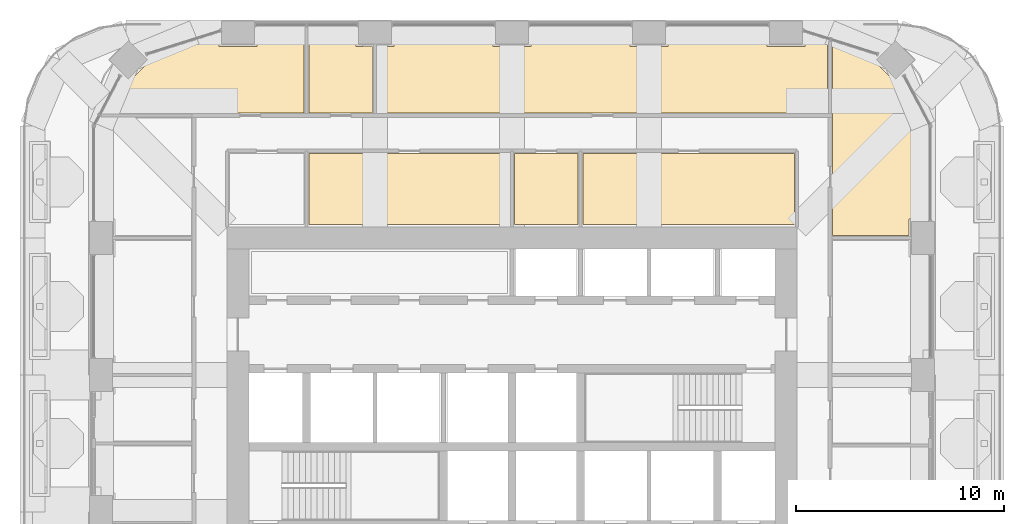
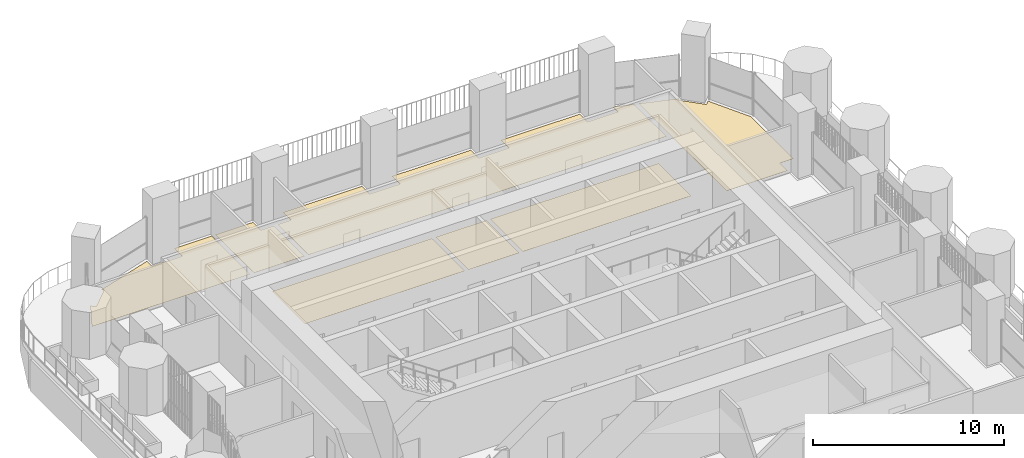
# One storey, part 23 of 24: 7 coverings.
"""IFC4 building model written with IfcOpenShell, lengths in metres."""

from ifc_helpers import new_model, si_unit, direction, frame, origin, place, context, subcontext, project, spatial, polyline, outline, extrude, material, layer, layer_set, type_object, element, save


model = new_model("IFC4")

# Units and contexts
model_context = context("Model", 3, precision=1e-05, world=origin(), true_north=direction((0.0, 1.0)))
body_context = subcontext(model_context, "Body", "Model", "MODEL_VIEW")
ifc_project = project(units=[si_unit("LENGTHUNIT", "METRE"), si_unit("AREAUNIT", "SQUARE_METRE"), si_unit("VOLUMEUNIT", "CUBIC_METRE"), si_unit("PLANEANGLEUNIT", "RADIAN"), si_unit("MASSUNIT", "GRAM", prefix="KILO")], contexts=[model_context])

# Site, building, storey
site_placement = place(None, origin())
site = spatial("IfcSite", under=ifc_project, at=site_placement, CompositionType="ELEMENT")
building_placement = place(site_placement, origin())
building = spatial("IfcBuilding", under=site, at=building_placement, Name="Cobogo Forest Laboratory Tower", CompositionType="ELEMENT")
storey_placement = place(building_placement, frame((0.0, 0.0, 229.199951171875)))
storey = spatial("IfcBuildingStorey", under=building, at=storey_placement, Name="L52", CompositionType="ELEMENT", Elevation=229.199951171875)

# Coverings
ifc_material = material(Name="Carpet tile on raised access floor", Category="flooring")
ifc_layer = layer(ifc_material, 0.008056640625)
ifc_layer_set = layer_set([ifc_layer], Name="CT1 carpet tile floor 8")
covering_type = type_object("IfcCoveringType", Name="CT1 carpet tile floor 8", PredefinedType="FLOORING", material=ifc_layer_set)
covering_1_placement = place(storey_placement, origin())
element("IfcCovering", 1, at=covering_1_placement, inside=storey, type_object=covering_type, Name="Carpet floor L52-02", PredefinedType="FLOORING", context=body_context, shape_type="SweptSolid", body=[
    extrude(outline(polyline([(26.280029296875, 33.64501953125), (16.6201171875, 33.64501953125), (16.6201171875, 37.080078125), (26.280029296875, 37.080078125), (26.280029296875, 33.64501953125)])), origin(), (0.0, 0.0, 1.0), 0.008056640625),
])
covering_2_placement = place(storey_placement, origin())
element("IfcCovering", 2, at=covering_2_placement, inside=storey, type_object=covering_type, Name="Carpet floor L52-03", PredefinedType="FLOORING", context=body_context, shape_type="SweptSolid", body=[
    extrude(outline(polyline([(29.580078125, 33.64501953125), (26.52001953125, 33.64501953125), (26.52001953125, 37.080078125), (29.580078125, 37.080078125), (29.580078125, 33.64501953125)])), origin(), (0.0, 0.0, 1.0), 0.008056640625),
])
covering_3_placement = place(storey_placement, origin())
element("IfcCovering", 3, at=covering_3_placement, inside=storey, type_object=covering_type, Name="Carpet floor L52-04", PredefinedType="FLOORING", context=body_context, shape_type="SweptSolid", body=[
    extrude(outline(polyline([(40.0048828125, 33.64501953125), (29.820068359375, 33.64501953125), (29.820068359375, 37.080078125), (40.0048828125, 37.080078125), (40.0048828125, 33.64501953125)])), origin(), (0.0, 0.0, 1.0), 0.008056640625),
])
covering_4_placement = place(storey_placement, origin())
element("IfcCovering", 4, at=covering_4_placement, inside=storey, type_object=covering_type, Name="Carpet floor L52-17", PredefinedType="FLOORING", context=body_context, shape_type="SweptSolid", body=[
    extrude(outline(polyline([(41.844970703125, 42.331298828125), (43.89501953125, 41.683837890625), (43.79296875, 41.58203125), (44.882080078125, 40.492919921875), (45.1083984375, 40.719482421875), (46.35009765625, 38.350830078125), (46.35009765625, 33.919921875), (45.530029296875, 33.919921875), (45.530029296875, 33.1201171875), (41.844970703125, 33.1201171875), (41.844970703125, 42.331298828125)])), origin(), (0.0, 0.0, 1.0), 0.008056640625),
])
covering_5_placement = place(storey_placement, origin())
element("IfcCovering", 5, at=covering_5_placement, inside=storey, type_object=covering_type, Name="Carpet floor L52-18", PredefinedType="FLOORING", context=body_context, shape_type="SweptSolid", body=[
    extrude(outline(polyline([(6.80078125, 39.02001953125), (7.691650390625, 40.719482421875), (7.91796875, 40.492919921875), (9.007080078125, 41.58203125), (8.905029296875, 41.683837890625), (12.280029296875, 42.749755859375), (12.280029296875, 42.22998046875), (14.1201171875, 42.22998046875), (14.1201171875, 43.050048828125), (16.3798828125, 43.050048828125), (16.3798828125, 39.02001953125), (6.80078125, 39.02001953125)])), origin(), (0.0, 0.0, 1.0), 0.008056640625),
])
covering_6_placement = place(storey_placement, origin())
element("IfcCovering", 6, at=covering_6_placement, inside=storey, type_object=covering_type, Name="Carpet floor L52-19", PredefinedType="FLOORING", context=body_context, shape_type="SweptSolid", body=[
    extrude(outline(polyline([(16.6201171875, 39.02001953125), (16.6201171875, 43.050048828125), (18.8798828125, 43.050048828125), (18.8798828125, 42.22998046875), (19.679931640625, 42.22998046875), (19.679931640625, 39.02001953125), (16.6201171875, 39.02001953125)])), origin(), (0.0, 0.0, 1.0), 0.008056640625),
])
covering_7_placement = place(storey_placement, origin())
element("IfcCovering", 7, at=covering_7_placement, inside=storey, type_object=covering_type, Name="Carpet floor L52-20", PredefinedType="FLOORING", context=body_context, shape_type="SweptSolid", body=[
    extrude(outline(polyline([(19.919921875, 39.02001953125), (19.919921875, 42.22998046875), (20.719970703125, 42.22998046875), (20.719970703125, 43.050048828125), (25.47998046875, 43.050048828125), (25.47998046875, 42.22998046875), (27.320068359375, 42.22998046875), (27.320068359375, 43.050048828125), (32.080078125, 43.050048828125), (32.080078125, 42.22998046875), (33.919921875, 42.22998046875), (33.919921875, 43.050048828125), (38.679931640625, 43.050048828125), (38.679931640625, 42.22998046875), (40.52001953125, 42.22998046875), (40.52001953125, 42.749755859375), (41.60498046875, 42.406982421875), (41.60498046875, 39.02001953125), (19.919921875, 39.02001953125)])), origin(), (0.0, 0.0, 1.0), 0.008056640625),
])

save(model, "model.ifc")
